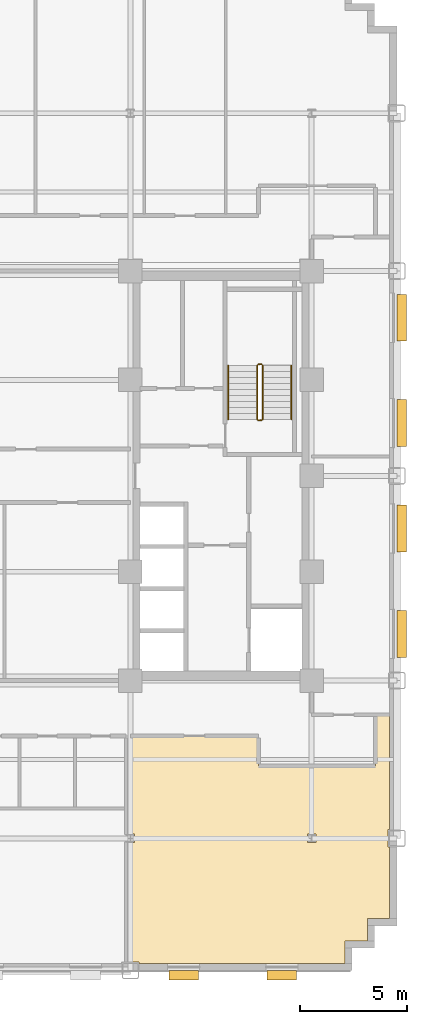
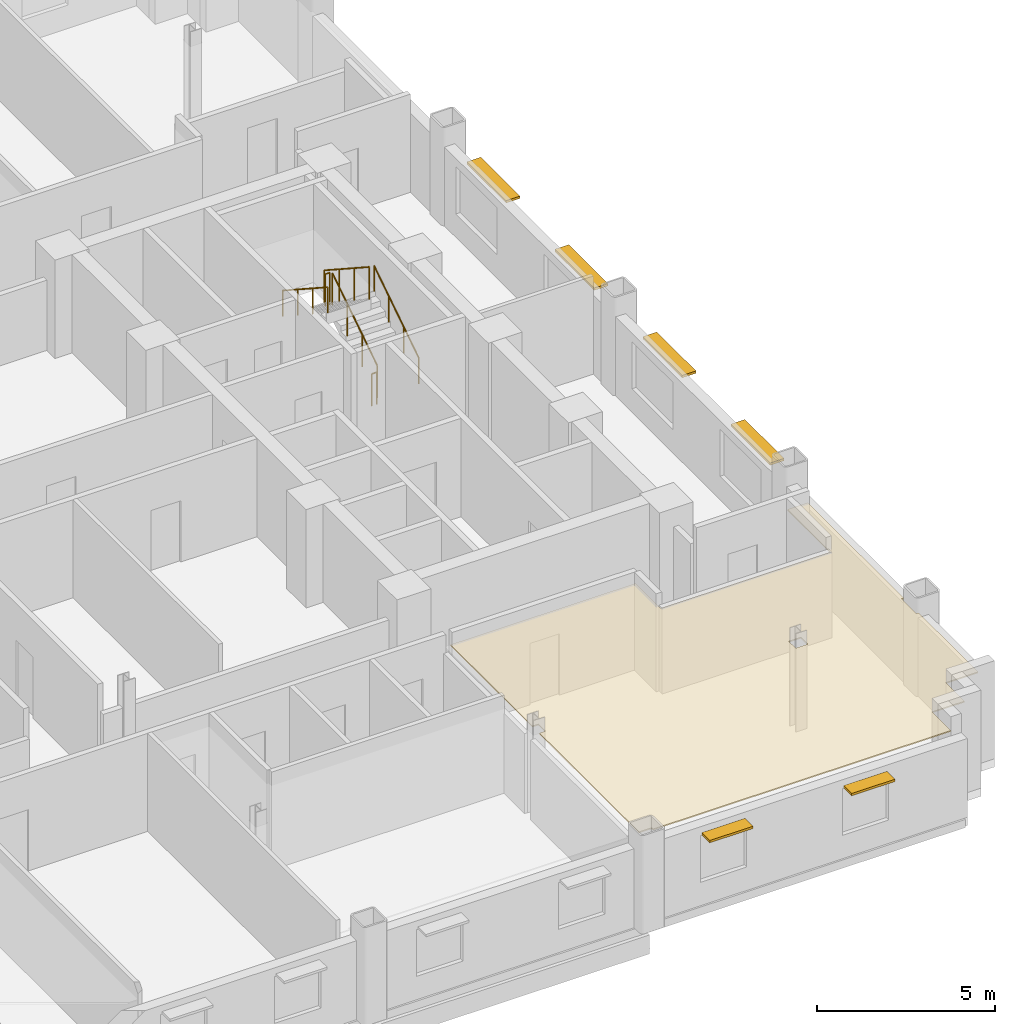
# One storey, part 13 of 14: 6 railings, 6 shading devices, 1 covering.
"""IFC4 building model written with IfcOpenShell, lengths in metres."""

from ifc_helpers import new_model, si_unit, direction, frame, origin, origin_2d, place, context, subcontext, project, spatial, polyline, rectangle, circle, outline, extrude, source, transform, mapped, material, layer, layer_set, type_object, type_shapes, element, save


model = new_model("IFC4")

# Units and contexts
model_context = context("Model", 3, precision=1e-05, world=origin(), true_north=direction((0.0, 1.0)))
body_context = subcontext(model_context, "Body", "Model", "MODEL_VIEW")
ifc_project = project(units=[si_unit("LENGTHUNIT", "METRE"), si_unit("AREAUNIT", "SQUARE_METRE"), si_unit("VOLUMEUNIT", "CUBIC_METRE"), si_unit("PLANEANGLEUNIT", "RADIAN"), si_unit("MASSUNIT", "GRAM", prefix="KILO")], contexts=[model_context])

# Site, building, storey
site_placement = place(None, origin())
site = spatial("IfcSite", under=ifc_project, at=site_placement, CompositionType="ELEMENT")
building_placement = place(site_placement, origin())
building = spatial("IfcBuilding", under=site, at=building_placement, Name="Nuvemarco Arch Tower", CompositionType="ELEMENT")
storey_placement = place(building_placement, frame((0.0, 0.0, 64.10009765625)))
storey = spatial("IfcBuildingStorey", under=building, at=storey_placement, Name="L16", CompositionType="ELEMENT", Elevation=64.10009765625)

# Covering
ifc_material_1 = material(Name="Mineral acoustic ceiling tile")
ifc_layer = layer(ifc_material_1, 0.0400390625, Name="COV-ACOUSTIC-CLG")
ifc_layer_set = layer_set([ifc_layer], Name="Mineral acoustic ceiling tile")
covering_type = type_object("IfcCoveringType", Name="COV-ACOUSTIC-CLG", PredefinedType="CEILING", material=ifc_layer_set)
covering_placement = place(storey_placement, frame((0.0, 0.0, 2.849853515625)))
element("IfcCovering", 1, at=covering_placement, inside=storey, type_object=covering_type, Name="L16 suspended acoustic ceiling 1", PredefinedType="CEILING", context=body_context, shape_type="SweptSolid", body=[
    extrude(outline(polyline([(19.06005859375, -22.860107421875), (9.4150390625, -22.860107421875), (9.4150390625, -22.784912109375), (9.0, -22.784912109375), (9.0, -17.195068359375), (9.195068359375, -17.195068359375), (9.195068359375, -16.804931640625), (9.0, -16.804931640625), (9.0, -12.199951171875), (15.0, -12.199951171875), (15.0, -13.60009765625), (20.5, -13.60009765625), (20.5, -11.199951171875), (21.159912109375, -11.199951171875), (21.159912109375, -16.5849609375), (21.0849609375, -16.5849609375), (21.0849609375, -17.4150390625), (21.159912109375, -17.4150390625), (21.159912109375, -20.760009765625), (20.110107421875, -20.760009765625), (20.110107421875, -21.81005859375), (19.06005859375, -21.81005859375), (19.06005859375, -22.860107421875)]), holes=[polyline([(17.695068359375, -17.195068359375), (17.695068359375, -16.804931640625), (17.304931640625, -16.804931640625), (17.304931640625, -17.195068359375), (17.695068359375, -17.195068359375)])]), origin(), (0.0, 0.0, 1.0), 0.0400390625),
])

# Railings
ifc_material_2 = material(Name="Brushed stainless steel handrail", Category="steel")
railing_type_1 = type_object("IfcRailingType", Name="RL-HANDRAIL-900", PredefinedType="HANDRAIL", material=ifc_material_2)
railing_1_placement = place(storey_placement, frame((16.550048828125, 2.64990234375, 0.182373046875)))
element("IfcRailing", 2, at=railing_1_placement, inside=storey, type_object=railing_type_1, Name="L16 ST-2 stair handrail 1", PredefinedType="HANDRAIL", context=body_context, shape_type="SweptSolid", body=[
    extrude(circle(Radius=0.02392578125, at=origin_2d()), frame((0.0, 0.0, 0.8759765625), z_axis=(0.0, 0.837749427056, 0.546054848405), x_axis=(-1.0, 0.0, 0.0)), (0.0, 0.0, 1.0), 3.008056640625),
    extrude(circle(Radius=0.02099609375, at=origin_2d()), origin(), (0.0, 0.0, 1.0), 0.851806640625),
    extrude(circle(Radius=0.02099609375, at=origin_2d()), frame((0.0, 0.840087890625, 0.547607421875)), (0.0, 0.0, 1.0), 0.851806640625),
    extrude(circle(Radius=0.02099609375, at=origin_2d()), frame((0.0, 1.679931640625, 1.094970703125)), (0.0, 0.0, 1.0), 0.851806640625),
    extrude(circle(Radius=0.02099609375, at=origin_2d()), frame((0.0, 2.52001953125, 1.642578125)), (0.0, 0.0, 1.0), 0.851806640625),
])
railing_2_placement = place(storey_placement, frame((13.590087890625, 5.169921875, 2.00732421875)))
element("IfcRailing", 3, at=railing_2_placement, inside=storey, type_object=railing_type_1, Name="L16 ST-2 stair handrail 2", PredefinedType="HANDRAIL", context=body_context, shape_type="SweptSolid", body=[
    extrude(circle(Radius=0.02392578125, at=origin_2d()), frame((0.0, 0.0, 0.8759765625), z_axis=(0.0, -0.837749427056, 0.546054848405), x_axis=(1.0, 0.0, 0.0)), (0.0, 0.0, 1.0), 3.008056640625),
    extrude(circle(Radius=0.02099609375, at=origin_2d()), origin(), (0.0, 0.0, 1.0), 0.851806640625),
    extrude(circle(Radius=0.02099609375, at=origin_2d()), frame((0.0, -0.840087890625, 0.547607421875)), (0.0, 0.0, 1.0), 0.851806640625),
    extrude(circle(Radius=0.02099609375, at=origin_2d()), frame((0.0, -1.679931640625, 1.094970703125)), (0.0, 0.0, 1.0), 0.851806640625),
    extrude(circle(Radius=0.02099609375, at=origin_2d()), frame((0.0, -2.52001953125, 1.642578125)), (0.0, 0.0, 1.0), 0.851806640625),
])
ifc_material_3 = material(Name="Painted balustrade steel S355", Category="steel")
railing_type_2 = type_object("IfcRailingType", Name="RL-STAIR-GUARD", PredefinedType="GUARDRAIL", material=ifc_material_3)
railing_3_placement = place(storey_placement, frame((15.199951171875, 2.64990234375, 0.182373046875)))
element("IfcRailing", 4, at=railing_3_placement, inside=storey, type_object=railing_type_2, Name="L16 ST-2 stair guard 1", PredefinedType="GUARDRAIL", context=body_context, shape_type="SweptSolid", body=[
    extrude(circle(Radius=0.02392578125, at=origin_2d()), frame((0.0, 0.0, 1.09619140625), z_axis=(0.0, 0.837749427056, 0.546054848405), x_axis=(-1.0, 0.0, 0.0)), (0.0, 0.0, 1.0), 3.008056640625),
    extrude(circle(Radius=0.02099609375, at=origin_2d()), origin(), (0.0, 0.0, 1.0), 1.072021484375),
    extrude(circle(Radius=0.02099609375, at=origin_2d()), frame((0.0, 0.840087890625, 0.547607421875)), (0.0, 0.0, 1.0), 1.072021484375),
    extrude(circle(Radius=0.02099609375, at=origin_2d()), frame((0.0, 1.679931640625, 1.094970703125)), (0.0, 0.0, 1.0), 1.072021484375),
    extrude(circle(Radius=0.02099609375, at=origin_2d()), frame((0.0, 2.52001953125, 1.642578125)), (0.0, 0.0, 1.0), 1.072021484375),
])
railing_4_placement = place(storey_placement, frame((15.14990234375, 5.219970703125, 1.824951171875)))
element("IfcRailing", 5, at=railing_4_placement, inside=storey, type_object=railing_type_2, Name="L16 ST-2 stair guard 2", PredefinedType="GUARDRAIL", context=body_context, shape_type="SweptSolid", body=[
    extrude(circle(Radius=0.02392578125, at=origin_2d()), frame((0.0, 0.0, 1.09619140625), z_axis=(-1.0, 0.0, 0.0), x_axis=(0.0, -1.0, 0.0)), (0.0, 0.0, 1.0), 0.159912109375),
    extrude(circle(Radius=0.02099609375, at=origin_2d()), origin(), (0.0, 0.0, 1.0), 1.072021484375),
    extrude(circle(Radius=0.02099609375, at=origin_2d()), frame((-0.159912109375, 0.0, 0.0)), (0.0, 0.0, 1.0), 1.072021484375),
])
railing_5_placement = place(storey_placement, frame((14.93994140625, 5.169921875, 2.00732421875)))
element("IfcRailing", 6, at=railing_5_placement, inside=storey, type_object=railing_type_2, Name="L16 ST-2 stair guard 3", PredefinedType="GUARDRAIL", context=body_context, shape_type="SweptSolid", body=[
    extrude(circle(Radius=0.02392578125, at=origin_2d()), frame((0.0, 0.0, 1.09619140625), z_axis=(0.0, -0.837749427056, 0.546054848405), x_axis=(1.0, 0.0, 0.0)), (0.0, 0.0, 1.0), 3.008056640625),
    extrude(circle(Radius=0.02099609375, at=origin_2d()), origin(), (0.0, 0.0, 1.0), 1.072021484375),
    extrude(circle(Radius=0.02099609375, at=origin_2d()), frame((0.0, -0.840087890625, 0.547607421875)), (0.0, 0.0, 1.0), 1.072021484375),
    extrude(circle(Radius=0.02099609375, at=origin_2d()), frame((0.0, -1.679931640625, 1.094970703125)), (0.0, 0.0, 1.0), 1.072021484375),
    extrude(circle(Radius=0.02099609375, at=origin_2d()), frame((0.0, -2.52001953125, 1.642578125)), (0.0, 0.0, 1.0), 1.072021484375),
])
railing_6_placement = place(storey_placement, frame((15.14990234375, 2.60009765625, 0.0)))
element("IfcRailing", 7, at=railing_6_placement, inside=storey, type_object=railing_type_2, Name="L16 ST-2 stair guard 4", PredefinedType="GUARDRAIL", context=body_context, shape_type="SweptSolid", body=[
    extrude(circle(Radius=0.02392578125, at=origin_2d()), frame((0.0, 0.0, 1.09619140625), z_axis=(-1.0, 0.0, 0.0), x_axis=(0.0, -1.0, 0.0)), (0.0, 0.0, 1.0), 0.159912109375),
    extrude(circle(Radius=0.02099609375, at=origin_2d()), origin(), (0.0, 0.0, 1.0), 1.072021484375),
    extrude(circle(Radius=0.02099609375, at=origin_2d()), frame((-0.159912109375, 0.0, 0.0)), (0.0, 0.0, 1.0), 1.072021484375),
])

# Shading devices
ifc_material_4 = material(Name="Anodised aluminium 6063-T6", Category="aluminium")
shading_device_type_1 = type_object("IfcShadingDeviceType", Name="SHD-BRISE-SOLEIL", PredefinedType="USERDEFINED", material=ifc_material_4)
shared_shape_1 = source(origin(), body_context, "Body", "SweptSolid", [
    extrude(rectangle(XDim=2.199951171875, YDim=0.449951171875, at=origin_2d()), origin(), (0.0, 0.0, 1.0), 0.080078125),
])
type_shapes(shading_device_type_1, [shared_shape_1])
for number, where, z_axis, x_axis, name in (
    (8, (21.715087890625, -7.41162109375, 2.4248046875), (0.0, 0.0, 1.0), (0.0, 1.0, 0.0), "L16 horizontal brise-soleil sunshade"),
    (9, (21.715087890625, -2.470458984375, 2.4248046875), (0.0, 0.0, 1.0), (0.0, 1.0, 0.0), "L16 horizontal brise-soleil sunshade"),
    (10, (21.715087890625, 2.470458984375, 2.4248046875), (0.0, 0.0, 1.0), (0.0, 1.0, 0.0), "L16 horizontal brise-soleil sunshade"),
    (11, (21.715087890625, 7.41162109375, 2.4248046875), (0.0, 0.0, 1.0), (0.0, 1.0, 0.0), "L16 horizontal brise-soleil sunshade"),
):
    element("IfcShadingDevice", number, at=place(storey_placement, frame(where, z_axis=z_axis, x_axis=x_axis)), inside=storey, type_object=shading_device_type_1, Name=name, ObjectType="SUNSHADE", PredefinedType="USERDEFINED", context=body_context, shape_type="MappedRepresentation", body=[
        mapped(shared_shape_1, transform((0.0, 0.0, 0.0), scale=1.0)),
    ])
shading_device_type_2 = type_object("IfcShadingDeviceType", Name="SHD-BRISE-NARROW", PredefinedType="USERDEFINED", material=ifc_material_4)
shared_shape_2 = source(origin(), body_context, "Body", "SweptSolid", [
    extrude(rectangle(XDim=1.39990234375, YDim=0.449951171875, at=origin_2d()), origin(), (0.0, 0.0, 1.0), 0.080078125),
])
type_shapes(shading_device_type_2, [shared_shape_2])
for number, where, z_axis, x_axis, name in (
    (12, (11.5, -23.4150390625, 2.40478515625), (0.0, 0.0, 1.0), (1.0, 0.0, 0.0), "L16 horizontal brise-soleil sunshade"),
    (13, (16.10009765625, -23.4150390625, 2.40478515625), (0.0, 0.0, 1.0), (1.0, 0.0, 0.0), "L16 horizontal brise-soleil sunshade"),
):
    element("IfcShadingDevice", number, at=place(storey_placement, frame(where, z_axis=z_axis, x_axis=x_axis)), inside=storey, type_object=shading_device_type_2, Name=name, ObjectType="SUNSHADE", PredefinedType="USERDEFINED", context=body_context, shape_type="MappedRepresentation", body=[
        mapped(shared_shape_2, transform((0.0, 0.0, 0.0), scale=1.0)),
    ])

save(model, "model.ifc")
